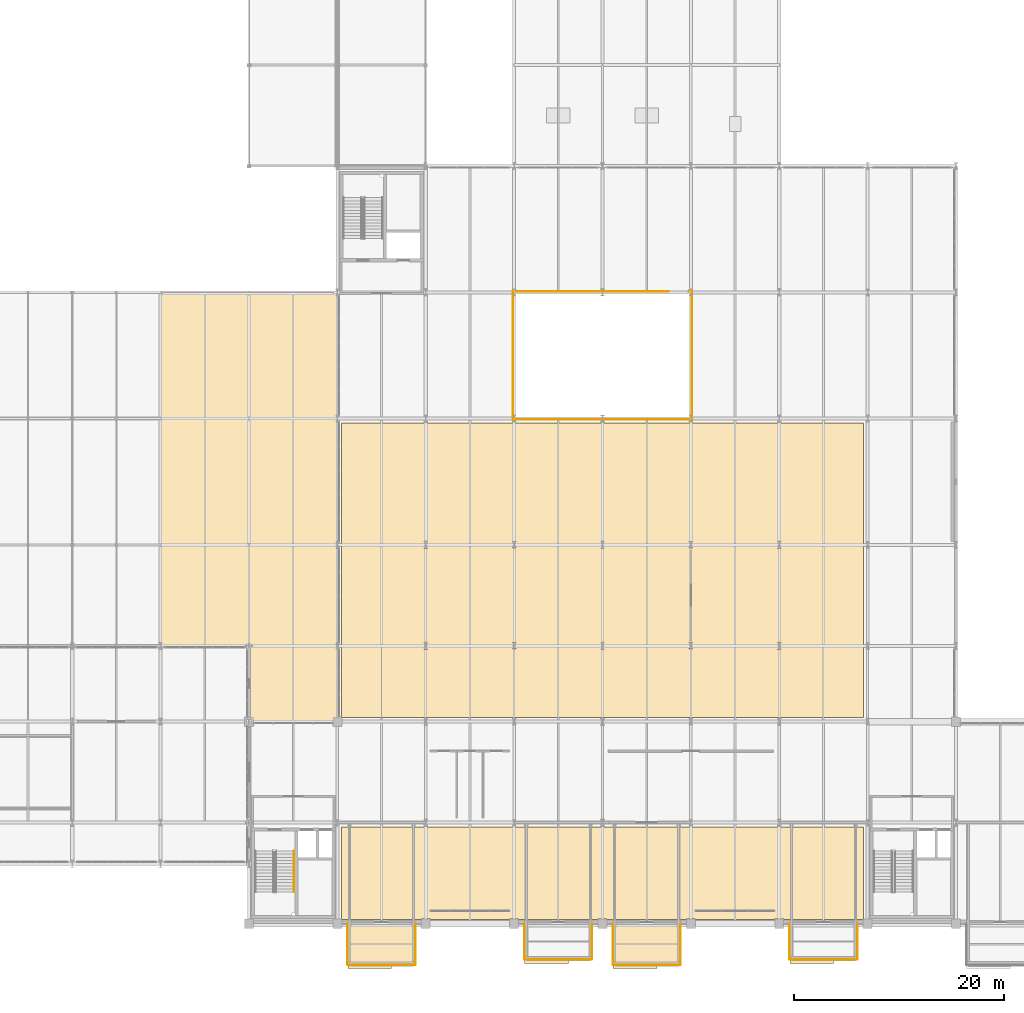
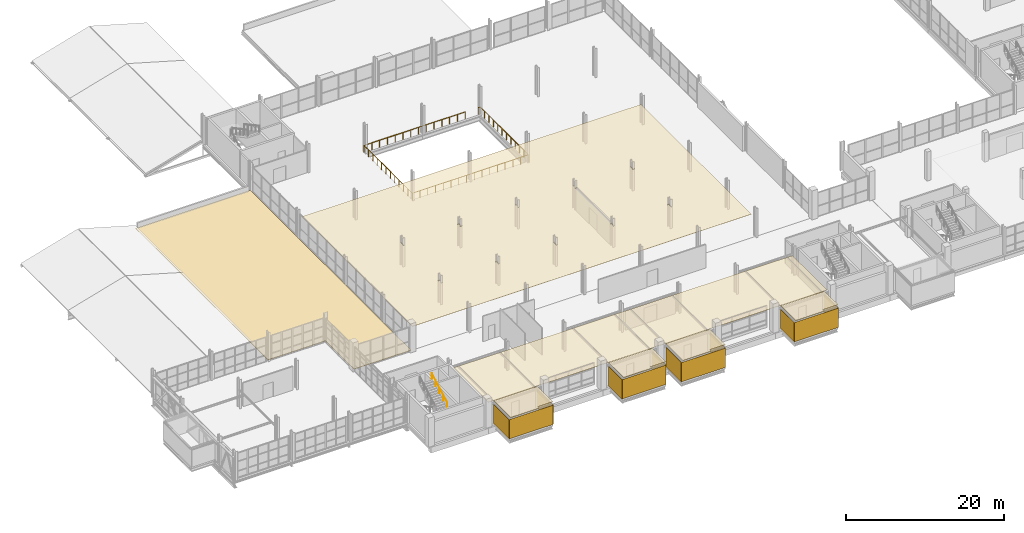
# One storey, part 125 of 130: 19 coverings, 3 railings.
"""IFC4 building model written with IfcOpenShell, lengths in metres."""

from ifc_helpers import new_model, si_unit, direction, frame, frame_2d, origin, origin_2d, place, context, subcontext, project, spatial, polyline, rectangle, circle, outline, extrude, material, layer, layer_set, type_object, element, save


model = new_model("IFC4")

# Units and contexts
model_context = context("Model", 3, precision=1e-05, world=origin(), true_north=direction((0.0, 1.0)))
body_context = subcontext(model_context, "Body", "Model", "MODEL_VIEW")
ifc_project = project(units=[si_unit("LENGTHUNIT", "METRE"), si_unit("AREAUNIT", "SQUARE_METRE"), si_unit("VOLUMEUNIT", "CUBIC_METRE"), si_unit("PLANEANGLEUNIT", "RADIAN"), si_unit("MASSUNIT", "GRAM", prefix="KILO")], contexts=[model_context])

# Site, building, storey
site_placement = place(None, origin())
site = spatial("IfcSite", under=ifc_project, at=site_placement, CompositionType="ELEMENT")
building_placement = place(site_placement, origin())
building = spatial("IfcBuilding", under=site, at=building_placement, Name="Veltarok Museum of Natural Sciences", CompositionType="ELEMENT")
storey_placement = place(building_placement, frame((0.0, 0.0, 12.89990234375)))
storey = spatial("IfcBuildingStorey", under=building, at=storey_placement, Name="L02", CompositionType="ELEMENT", Elevation=12.89990234375)

# Coverings
ifc_material_1 = material(Name="Corrugated zinc cladding")
ifc_layer_1 = layer(ifc_material_1, 0.044921875)
ifc_layer_set_1 = layer_set([ifc_layer_1], Name="Corrugated zinc cladding")
covering_type_1 = type_object("IfcCoveringType", Name="Corrugated Titanium-Zinc Rainscreen Cladding 45", PredefinedType="CLADDING", material=ifc_layer_set_1)
covering_1_placement = place(storey_placement, frame((41.0, -3.922119140625, 0.0), z_axis=(0.0, 0.0, 1.0), x_axis=(1.0, 0.0, 0.0)))
element("IfcCovering", 1, at=covering_1_placement, inside=storey, type_object=covering_type_1, Name="Corrugated Zinc Cladding DB-07-S", PredefinedType="CLADDING", context=body_context, shape_type="SweptSolid", body=[
    extrude(rectangle(XDim=6.39990234375, YDim=0.044921875, at=frame_2d((3.199951171875, 0.0))), origin(), (0.0, 0.0, 1.0), 2.989990234375),
])
for number, where, z_axis, x_axis, name in (
    (2, (40.97802734375, 0.0, 0.0), (0.0, 0.0, 1.0), (0.0, -1.0, 0.0), "Corrugated Zinc Cladding DB-07-W"),
    (3, (47.422119140625, -3.89990234375, 0.0), (0.0, 0.0, 1.0), (0.0, 1.0, 0.0), "Corrugated Zinc Cladding DB-07-E"),
):
    element("IfcCovering", number, at=place(storey_placement, frame(where, z_axis=z_axis, x_axis=x_axis)), inside=storey, type_object=covering_type_1, Name=name, PredefinedType="CLADDING", context=body_context, shape_type="SweptSolid", body=[
        extrude(rectangle(XDim=3.89990234375, YDim=0.044921875, at=frame_2d((1.949951171875, 0.0))), origin(), (0.0, 0.0, 1.0), 2.989990234375),
    ])
covering_2_placement = place(storey_placement, frame((57.800048828125, -3.422119140625, 0.0), z_axis=(0.0, 0.0, 1.0), x_axis=(1.0, 0.0, 0.0)))
element("IfcCovering", 4, at=covering_2_placement, inside=storey, type_object=covering_type_1, Name="Corrugated Zinc Cladding DB-08-S", PredefinedType="CLADDING", context=body_context, shape_type="SweptSolid", body=[
    extrude(rectangle(XDim=6.39990234375, YDim=0.044921875, at=frame_2d((3.199951171875, 0.0))), origin(), (0.0, 0.0, 1.0), 2.989990234375),
])
for number, where, z_axis, x_axis, name in (
    (5, (57.778076171875, 0.0, 0.0), (0.0, 0.0, 1.0), (0.0, -1.0, 0.0), "Corrugated Zinc Cladding DB-08-W"),
    (6, (64.221923828125, -3.39990234375, 0.0), (0.0, 0.0, 1.0), (0.0, 1.0, 0.0), "Corrugated Zinc Cladding DB-08-E"),
):
    element("IfcCovering", number, at=place(storey_placement, frame(where, z_axis=z_axis, x_axis=x_axis)), inside=storey, type_object=covering_type_1, Name=name, PredefinedType="CLADDING", context=body_context, shape_type="SweptSolid", body=[
        extrude(rectangle(XDim=3.39990234375, YDim=0.044921875, at=frame_2d((1.699951171875, 0.0))), origin(), (0.0, 0.0, 1.0), 2.989990234375),
    ])
covering_3_placement = place(storey_placement, frame((66.199951171875, -3.922119140625, 0.0), z_axis=(0.0, 0.0, 1.0), x_axis=(1.0, 0.0, 0.0)))
element("IfcCovering", 7, at=covering_3_placement, inside=storey, type_object=covering_type_1, Name="Corrugated Zinc Cladding DB-09-S", PredefinedType="CLADDING", context=body_context, shape_type="SweptSolid", body=[
    extrude(rectangle(XDim=6.400146484375, YDim=0.044921875, at=frame_2d((3.2001953125, 0.0))), origin(), (0.0, 0.0, 1.0), 2.989990234375),
])
for number, where, z_axis, x_axis, name in (
    (8, (66.177978515625, 0.0, 0.0), (0.0, 0.0, 1.0), (0.0, -1.0, 0.0), "Corrugated Zinc Cladding DB-09-W"),
    (9, (72.6220703125, -3.89990234375, 0.0), (0.0, 0.0, 1.0), (0.0, 1.0, 0.0), "Corrugated Zinc Cladding DB-09-E"),
):
    element("IfcCovering", number, at=place(storey_placement, frame(where, z_axis=z_axis, x_axis=x_axis)), inside=storey, type_object=covering_type_1, Name=name, PredefinedType="CLADDING", context=body_context, shape_type="SweptSolid", body=[
        extrude(rectangle(XDim=3.89990234375, YDim=0.044921875, at=frame_2d((1.949951171875, 0.0))), origin(), (0.0, 0.0, 1.0), 2.989990234375),
    ])
covering_4_placement = place(storey_placement, frame((83.0, -3.422119140625, 0.0), z_axis=(0.0, 0.0, 1.0), x_axis=(1.0, 0.0, 0.0)))
element("IfcCovering", 10, at=covering_4_placement, inside=storey, type_object=covering_type_1, Name="Corrugated Zinc Cladding DB-10-S", PredefinedType="CLADDING", context=body_context, shape_type="SweptSolid", body=[
    extrude(rectangle(XDim=6.39990234375, YDim=0.044921875, at=frame_2d((3.199951171875, 0.0))), origin(), (0.0, 0.0, 1.0), 2.989990234375),
])
for number, where, z_axis, x_axis, name in (
    (11, (82.97802734375, 0.0, 0.0), (0.0, 0.0, 1.0), (0.0, -1.0, 0.0), "Corrugated Zinc Cladding DB-10-W"),
    (12, (89.422119140625, -3.39990234375, 0.0), (0.0, 0.0, 1.0), (0.0, 1.0, 0.0), "Corrugated Zinc Cladding DB-10-E"),
):
    element("IfcCovering", number, at=place(storey_placement, frame(where, z_axis=z_axis, x_axis=x_axis)), inside=storey, type_object=covering_type_1, Name=name, PredefinedType="CLADDING", context=body_context, shape_type="SweptSolid", body=[
        extrude(rectangle(XDim=3.39990234375, YDim=0.044921875, at=frame_2d((1.699951171875, 0.0))), origin(), (0.0, 0.0, 1.0), 2.989990234375),
    ])
ifc_material_2 = material(Name="EPDM waterproofing membrane")
ifc_layer_2 = layer(ifc_material_2, 0.06005859375)
ifc_layer_set_2 = layer_set([ifc_layer_2], Name="EPDM waterproofing membrane")
covering_type_2 = type_object("IfcCoveringType", Name="EPDM Waterproofing and Acoustic Roof Membrane 60", PredefinedType="ROOFING", material=ifc_layer_set_2)
covering_5_placement = place(storey_placement, origin())
element("IfcCovering", 13, at=covering_5_placement, inside=storey, type_object=covering_type_2, Name="Roof Waterproofing RF-V6C", PredefinedType="ROOFING", context=body_context, shape_type="SweptSolid", body=[
    extrude(outline(polyline([(39.97998046875, 60.0), (39.97998046875, 19.199951171875), (31.6201171875, 19.199951171875), (31.6201171875, 26.419921875), (23.199951171875, 26.419921875), (23.199951171875, 60.0), (39.97998046875, 60.0)])), origin(), (0.0, 0.0, 1.0), 0.06005859375),
])
covering_6_placement = place(storey_placement, frame((0.0, 0.0, 3.4501953125)))
element("IfcCovering", 14, at=covering_6_placement, inside=storey, type_object=covering_type_2, Name="Cabinet Box Roof Membrane DB-07", PredefinedType="ROOFING", context=body_context, shape_type="SweptSolid", body=[
    extrude(outline(polyline([(41.0, -4.280029296875), (45.159912109375, -4.280029296875), (45.159912109375, -3.89990234375), (47.39990234375, -3.89990234375), (47.39990234375, 0.0), (41.0, 0.0), (41.0, -4.280029296875)])), origin(), (0.0, 0.0, 1.0), 0.059814453125),
])
covering_7_placement = place(storey_placement, frame((0.0, 0.0, 3.4501953125)))
element("IfcCovering", 15, at=covering_7_placement, inside=storey, type_object=covering_type_2, Name="Cabinet Box Roof Membrane DB-08", PredefinedType="ROOFING", context=body_context, shape_type="SweptSolid", body=[
    extrude(outline(polyline([(57.800048828125, -3.780029296875), (61.9599609375, -3.780029296875), (61.9599609375, -3.39990234375), (64.199951171875, -3.39990234375), (64.199951171875, 0.0), (57.800048828125, 0.0), (57.800048828125, -3.780029296875)])), origin(), (0.0, 0.0, 1.0), 0.059814453125),
])
covering_8_placement = place(storey_placement, frame((0.0, 0.0, 3.4501953125)))
element("IfcCovering", 16, at=covering_8_placement, inside=storey, type_object=covering_type_2, Name="Cabinet Box Roof Membrane DB-09", PredefinedType="ROOFING", context=body_context, shape_type="SweptSolid", body=[
    extrude(outline(polyline([(66.199951171875, -4.280029296875), (70.360107421875, -4.280029296875), (70.360107421875, -3.89990234375), (72.60009765625, -3.89990234375), (72.60009765625, 0.0), (66.199951171875, 0.0), (66.199951171875, -4.280029296875)])), origin(), (0.0, 0.0, 1.0), 0.059814453125),
])
covering_9_placement = place(storey_placement, frame((0.0, 0.0, 3.4501953125)))
element("IfcCovering", 17, at=covering_9_placement, inside=storey, type_object=covering_type_2, Name="Cabinet Box Roof Membrane DB-10", PredefinedType="ROOFING", context=body_context, shape_type="SweptSolid", body=[
    extrude(outline(polyline([(83.0, -3.780029296875), (87.159912109375, -3.780029296875), (87.159912109375, -3.39990234375), (89.39990234375, -3.39990234375), (89.39990234375, 0.0), (83.0, 0.0), (83.0, -3.780029296875)])), origin(), (0.0, 0.0, 1.0), 0.059814453125),
])

# Railings
ifc_material_3 = material(Name="Steel S355J2", Category="steel")
railing_type_1 = type_object("IfcRailingType", Name="Interior Atrium and Stairwell Guardrail 1100", PredefinedType="GUARDRAIL", material=ifc_material_3)
railing_1_placement = place(storey_placement, frame((56.699951171875, 47.89990234375, 0.0)))
element("IfcRailing", 18, at=railing_1_placement, inside=storey, type_object=railing_type_1, Name="Central Atrium Guardrail L02-1", PredefinedType="GUARDRAIL", context=body_context, shape_type="SweptSolid", body=[
    extrude(circle(Radius=0.02392578125, at=origin_2d()), frame((0.0, 0.0, 1.076171875), z_axis=(1.0, 0.0, 0.0), x_axis=(0.0, 1.0, 0.0)), (0.0, 0.0, 1.0), 17.0),
    extrude(circle(Radius=0.02392578125, at=origin_2d()), frame((17.0, 0.0, 1.076171875), z_axis=(0.0, 1.0, 0.0), x_axis=(-1.0, 0.0, 0.0)), (0.0, 0.0, 1.0), 12.2001953125),
    extrude(circle(Radius=0.02392578125, at=origin_2d()), frame((17.0, 12.2001953125, 1.076171875), z_axis=(-1.0, 0.0, 0.0), x_axis=(0.0, -1.0, 0.0)), (0.0, 0.0, 1.0), 0.300048828125),
    extrude(circle(Radius=0.02099609375, at=origin_2d()), origin(), (0.0, 0.0, 1.0), 1.052001953125),
    extrude(circle(Radius=0.02099609375, at=origin_2d()), frame((1.13330078125, 0.0, 0.0)), (0.0, 0.0, 1.0), 1.052001953125),
    extrude(circle(Radius=0.02099609375, at=origin_2d()), frame((2.2666015625, 0.0, 0.0)), (0.0, 0.0, 1.0), 1.052001953125),
    extrude(circle(Radius=0.02099609375, at=origin_2d()), frame((3.39990234375, 0.0, 0.0)), (0.0, 0.0, 1.0), 1.052001953125),
    extrude(circle(Radius=0.02099609375, at=origin_2d()), frame((4.533447265625, 0.0, 0.0)), (0.0, 0.0, 1.0), 1.052001953125),
    extrude(circle(Radius=0.02099609375, at=origin_2d()), frame((5.666748046875, 0.0, 0.0)), (0.0, 0.0, 1.0), 1.052001953125),
    extrude(circle(Radius=0.02099609375, at=origin_2d()), frame((6.800048828125, 0.0, 0.0)), (0.0, 0.0, 1.0), 1.052001953125),
    extrude(circle(Radius=0.02099609375, at=origin_2d()), frame((7.933349609375, 0.0, 0.0)), (0.0, 0.0, 1.0), 1.052001953125),
    extrude(circle(Radius=0.02099609375, at=origin_2d()), frame((9.066650390625, 0.0, 0.0)), (0.0, 0.0, 1.0), 1.052001953125),
    extrude(circle(Radius=0.02099609375, at=origin_2d()), frame((10.199951171875, 0.0, 0.0)), (0.0, 0.0, 1.0), 1.052001953125),
    extrude(circle(Radius=0.02099609375, at=origin_2d()), frame((11.333251953125, 0.0, 0.0)), (0.0, 0.0, 1.0), 1.052001953125),
    extrude(circle(Radius=0.02099609375, at=origin_2d()), frame((12.466552734375, 0.0, 0.0)), (0.0, 0.0, 1.0), 1.052001953125),
    extrude(circle(Radius=0.02099609375, at=origin_2d()), frame((13.60009765625, 0.0, 0.0)), (0.0, 0.0, 1.0), 1.052001953125),
    extrude(circle(Radius=0.02099609375, at=origin_2d()), frame((14.7333984375, 0.0, 0.0)), (0.0, 0.0, 1.0), 1.052001953125),
    extrude(circle(Radius=0.02099609375, at=origin_2d()), frame((15.86669921875, 0.0, 0.0)), (0.0, 0.0, 1.0), 1.052001953125),
    extrude(circle(Radius=0.02099609375, at=origin_2d()), frame((17.0, 0.0, 0.0)), (0.0, 0.0, 1.0), 1.052001953125),
    extrude(circle(Radius=0.02099609375, at=origin_2d()), frame((17.0, 1.109130859375, 0.0)), (0.0, 0.0, 1.0), 1.052001953125),
    extrude(circle(Radius=0.02099609375, at=origin_2d()), frame((17.0, 2.21826171875, 0.0)), (0.0, 0.0, 1.0), 1.052001953125),
    extrude(circle(Radius=0.02099609375, at=origin_2d()), frame((17.0, 3.327392578125, 0.0)), (0.0, 0.0, 1.0), 1.052001953125),
    extrude(circle(Radius=0.02099609375, at=origin_2d()), frame((17.0, 4.4365234375, 0.0)), (0.0, 0.0, 1.0), 1.052001953125),
    extrude(circle(Radius=0.02099609375, at=origin_2d()), frame((17.0, 5.545654296875, 0.0)), (0.0, 0.0, 1.0), 1.052001953125),
    extrude(circle(Radius=0.02099609375, at=origin_2d()), frame((17.0, 6.654541015625, 0.0)), (0.0, 0.0, 1.0), 1.052001953125),
    extrude(circle(Radius=0.02099609375, at=origin_2d()), frame((17.0, 7.763671875, 0.0)), (0.0, 0.0, 1.0), 1.052001953125),
    extrude(circle(Radius=0.02099609375, at=origin_2d()), frame((17.0, 8.872802734375, 0.0)), (0.0, 0.0, 1.0), 1.052001953125),
    extrude(circle(Radius=0.02099609375, at=origin_2d()), frame((17.0, 9.98193359375, 0.0)), (0.0, 0.0, 1.0), 1.052001953125),
    extrude(circle(Radius=0.02099609375, at=origin_2d()), frame((17.0, 11.091064453125, 0.0)), (0.0, 0.0, 1.0), 1.052001953125),
    extrude(circle(Radius=0.02099609375, at=origin_2d()), frame((17.0, 12.2001953125, 0.0)), (0.0, 0.0, 1.0), 1.052001953125),
    extrude(circle(Radius=0.02099609375, at=origin_2d()), frame((16.699951171875, 12.2001953125, 0.0)), (0.0, 0.0, 1.0), 1.052001953125),
])
railing_2_placement = place(storey_placement, frame((71.5, 60.10009765625, 0.0)))
element("IfcRailing", 19, at=railing_2_placement, inside=storey, type_object=railing_type_1, Name="Central Atrium Guardrail L02-2", PredefinedType="GUARDRAIL", context=body_context, shape_type="SweptSolid", body=[
    extrude(circle(Radius=0.02392578125, at=origin_2d()), frame((0.0, 0.0, 1.076171875), z_axis=(-1.0, 0.0, 0.0), x_axis=(0.0, -1.0, 0.0)), (0.0, 0.0, 1.0), 14.800048828125),
    extrude(circle(Radius=0.02392578125, at=origin_2d()), frame((-14.800048828125, 0.0, 1.076171875), z_axis=(0.0, -1.0, 0.0), x_axis=(1.0, 0.0, 0.0)), (0.0, 0.0, 1.0), 12.2001953125),
    extrude(circle(Radius=0.02099609375, at=origin_2d()), origin(), (0.0, 0.0, 1.0), 1.052001953125),
    extrude(circle(Radius=0.02099609375, at=origin_2d()), frame((-1.138427734375, 0.0, 0.0)), (0.0, 0.0, 1.0), 1.052001953125),
    extrude(circle(Radius=0.02099609375, at=origin_2d()), frame((-2.27685546875, 0.0, 0.0)), (0.0, 0.0, 1.0), 1.052001953125),
    extrude(circle(Radius=0.02099609375, at=origin_2d()), frame((-3.415283203125, 0.0, 0.0)), (0.0, 0.0, 1.0), 1.052001953125),
    extrude(circle(Radius=0.02099609375, at=origin_2d()), frame((-4.553955078125, 0.0, 0.0)), (0.0, 0.0, 1.0), 1.052001953125),
    extrude(circle(Radius=0.02099609375, at=origin_2d()), frame((-5.6923828125, 0.0, 0.0)), (0.0, 0.0, 1.0), 1.052001953125),
    extrude(circle(Radius=0.02099609375, at=origin_2d()), frame((-6.830810546875, 0.0, 0.0)), (0.0, 0.0, 1.0), 1.052001953125),
    extrude(circle(Radius=0.02099609375, at=origin_2d()), frame((-7.96923828125, 0.0, 0.0)), (0.0, 0.0, 1.0), 1.052001953125),
    extrude(circle(Radius=0.02099609375, at=origin_2d()), frame((-9.107666015625, 0.0, 0.0)), (0.0, 0.0, 1.0), 1.052001953125),
    extrude(circle(Radius=0.02099609375, at=origin_2d()), frame((-10.24609375, 0.0, 0.0)), (0.0, 0.0, 1.0), 1.052001953125),
    extrude(circle(Radius=0.02099609375, at=origin_2d()), frame((-11.384765625, 0.0, 0.0)), (0.0, 0.0, 1.0), 1.052001953125),
    extrude(circle(Radius=0.02099609375, at=origin_2d()), frame((-12.523193359375, 0.0, 0.0)), (0.0, 0.0, 1.0), 1.052001953125),
    extrude(circle(Radius=0.02099609375, at=origin_2d()), frame((-13.66162109375, 0.0, 0.0)), (0.0, 0.0, 1.0), 1.052001953125),
    extrude(circle(Radius=0.02099609375, at=origin_2d()), frame((-14.800048828125, 0.0, 0.0)), (0.0, 0.0, 1.0), 1.052001953125),
    extrude(circle(Radius=0.02099609375, at=origin_2d()), frame((-14.800048828125, -1.109130859375, 0.0)), (0.0, 0.0, 1.0), 1.052001953125),
    extrude(circle(Radius=0.02099609375, at=origin_2d()), frame((-14.800048828125, -2.21826171875, 0.0)), (0.0, 0.0, 1.0), 1.052001953125),
    extrude(circle(Radius=0.02099609375, at=origin_2d()), frame((-14.800048828125, -3.327392578125, 0.0)), (0.0, 0.0, 1.0), 1.052001953125),
    extrude(circle(Radius=0.02099609375, at=origin_2d()), frame((-14.800048828125, -4.4365234375, 0.0)), (0.0, 0.0, 1.0), 1.052001953125),
    extrude(circle(Radius=0.02099609375, at=origin_2d()), frame((-14.800048828125, -5.545654296875, 0.0)), (0.0, 0.0, 1.0), 1.052001953125),
    extrude(circle(Radius=0.02099609375, at=origin_2d()), frame((-14.800048828125, -6.654541015625, 0.0)), (0.0, 0.0, 1.0), 1.052001953125),
    extrude(circle(Radius=0.02099609375, at=origin_2d()), frame((-14.800048828125, -7.763671875, 0.0)), (0.0, 0.0, 1.0), 1.052001953125),
    extrude(circle(Radius=0.02099609375, at=origin_2d()), frame((-14.800048828125, -8.872802734375, 0.0)), (0.0, 0.0, 1.0), 1.052001953125),
    extrude(circle(Radius=0.02099609375, at=origin_2d()), frame((-14.800048828125, -9.98193359375, 0.0)), (0.0, 0.0, 1.0), 1.052001953125),
    extrude(circle(Radius=0.02099609375, at=origin_2d()), frame((-14.800048828125, -11.091064453125, 0.0)), (0.0, 0.0, 1.0), 1.052001953125),
    extrude(circle(Radius=0.02099609375, at=origin_2d()), frame((-14.800048828125, -12.2001953125, 0.0)), (0.0, 0.0, 1.0), 1.052001953125),
])

# Coverings
ifc_material_4 = material(Name="Acoustic gypsum and mineral wool")
ifc_layer_3 = layer(ifc_material_4, 0.044921875)
ifc_layer_set_3 = layer_set([ifc_layer_3], Name="Acoustic gypsum and mineral wool")
covering_type_3 = type_object("IfcCoveringType", Name="Perforated Acoustic Museum Ceiling Baffle System 45", PredefinedType="CEILING", material=ifc_layer_set_3)
covering_10_placement = place(storey_placement, frame((0.0, 0.0, 3.2001953125)))
element("IfcCovering", 20, at=covering_10_placement, inside=storey, type_object=covering_type_3, Name="Acoustic Gallery Ceiling L02-07", PredefinedType="CEILING", context=body_context, shape_type="SweptSolid", body=[
    extrude(outline(polyline([(40.39990234375, 9.199951171875), (90.0, 9.199951171875), (90.0, 0.4580078125), (89.967041015625, 0.4580078125), (89.967041015625, 0.39990234375), (82.43310546875, 0.39990234375), (82.43310546875, 0.4580078125), (81.56689453125, 0.4580078125), (81.56689453125, 0.39990234375), (74.032958984375, 0.39990234375), (74.032958984375, 0.4580078125), (73.1669921875, 0.4580078125), (73.1669921875, 0.39990234375), (65.633056640625, 0.39990234375), (65.633056640625, 0.4580078125), (64.76708984375, 0.4580078125), (64.76708984375, 0.39990234375), (57.23291015625, 0.39990234375), (57.23291015625, 0.4580078125), (56.366943359375, 0.4580078125), (56.366943359375, 0.39990234375), (48.8330078125, 0.39990234375), (48.8330078125, 0.4580078125), (47.967041015625, 0.4580078125), (47.967041015625, 0.39990234375), (40.43310546875, 0.39990234375), (40.43310546875, 0.4580078125), (40.39990234375, 0.4580078125), (40.39990234375, 9.199951171875)])), origin(), (0.0, 0.0, 1.0), 0.044921875),
])
covering_11_placement = place(storey_placement, frame((0.0, 0.0, 3.300048828125)))
element("IfcCovering", 21, at=covering_11_placement, inside=storey, type_object=covering_type_3, Name="Acoustic Gallery Ceiling L02-08", PredefinedType="CEILING", context=body_context, shape_type="SweptSolid", body=[
    extrude(outline(polyline([(40.39990234375, 47.60009765625), (90.0, 47.60009765625), (90.0, 19.60009765625), (40.43310546875, 19.60009765625), (40.43310546875, 19.657958984375), (40.39990234375, 19.657958984375), (40.39990234375, 47.60009765625)]), holes=[polyline([(48.55810546875, 26.73291015625), (48.241943359375, 26.73291015625), (48.241943359375, 26.68603515625), (48.384033203125, 26.68603515625), (48.384033203125, 26.114013671875), (48.241943359375, 26.114013671875), (48.241943359375, 26.06689453125), (48.55810546875, 26.06689453125), (48.55810546875, 26.114013671875), (48.416015625, 26.114013671875), (48.416015625, 26.68603515625), (48.55810546875, 26.68603515625), (48.55810546875, 26.73291015625)]), polyline([(48.55810546875, 36.3330078125), (48.241943359375, 36.3330078125), (48.241943359375, 36.285888671875), (48.384033203125, 36.285888671875), (48.384033203125, 35.714111328125), (48.241943359375, 35.714111328125), (48.241943359375, 35.6669921875), (48.55810546875, 35.6669921875), (48.55810546875, 35.714111328125), (48.416015625, 35.714111328125), (48.416015625, 36.285888671875), (48.55810546875, 36.285888671875), (48.55810546875, 36.3330078125)]), polyline([(65.35791015625, 26.73291015625), (65.0419921875, 26.73291015625), (65.0419921875, 26.68603515625), (65.18408203125, 26.68603515625), (65.18408203125, 26.114013671875), (65.0419921875, 26.114013671875), (65.0419921875, 26.06689453125), (65.35791015625, 26.06689453125), (65.35791015625, 26.114013671875), (65.216064453125, 26.114013671875), (65.216064453125, 26.68603515625), (65.35791015625, 26.68603515625), (65.35791015625, 26.73291015625)]), polyline([(73.758056640625, 26.7080078125), (73.44189453125, 26.7080078125), (73.44189453125, 26.662109375), (73.584228515625, 26.662109375), (73.584228515625, 26.137939453125), (73.44189453125, 26.137939453125), (73.44189453125, 26.092041015625), (73.758056640625, 26.092041015625), (73.758056640625, 26.137939453125), (73.61572265625, 26.137939453125), (73.61572265625, 26.662109375), (73.758056640625, 26.662109375), (73.758056640625, 26.7080078125)]), polyline([(82.157958984375, 26.73291015625), (81.842041015625, 26.73291015625), (81.842041015625, 26.68603515625), (81.98388671875, 26.68603515625), (81.98388671875, 26.114013671875), (81.842041015625, 26.114013671875), (81.842041015625, 26.06689453125), (82.157958984375, 26.06689453125), (82.157958984375, 26.114013671875), (82.01611328125, 26.114013671875), (82.01611328125, 26.68603515625), (82.157958984375, 26.68603515625), (82.157958984375, 26.73291015625)]), polyline([(56.9580078125, 26.7080078125), (56.64208984375, 26.7080078125), (56.64208984375, 26.662109375), (56.7841796875, 26.662109375), (56.7841796875, 26.137939453125), (56.64208984375, 26.137939453125), (56.64208984375, 26.092041015625), (56.9580078125, 26.092041015625), (56.9580078125, 26.137939453125), (56.81591796875, 26.137939453125), (56.81591796875, 26.662109375), (56.9580078125, 26.662109375), (56.9580078125, 26.7080078125)]), polyline([(82.157958984375, 36.3330078125), (81.842041015625, 36.3330078125), (81.842041015625, 36.285888671875), (81.98388671875, 36.285888671875), (81.98388671875, 35.714111328125), (81.842041015625, 35.714111328125), (81.842041015625, 35.6669921875), (82.157958984375, 35.6669921875), (82.157958984375, 35.714111328125), (82.01611328125, 35.714111328125), (82.01611328125, 36.285888671875), (82.157958984375, 36.285888671875), (82.157958984375, 36.3330078125)]), polyline([(73.758056640625, 36.30810546875), (73.44189453125, 36.30810546875), (73.44189453125, 36.261962890625), (73.584228515625, 36.261962890625), (73.584228515625, 35.738037109375), (73.44189453125, 35.738037109375), (73.44189453125, 35.69189453125), (73.758056640625, 35.69189453125), (73.758056640625, 35.738037109375), (73.61572265625, 35.738037109375), (73.61572265625, 36.261962890625), (73.758056640625, 36.261962890625), (73.758056640625, 36.30810546875)]), polyline([(65.35791015625, 36.3330078125), (65.0419921875, 36.3330078125), (65.0419921875, 36.285888671875), (65.18408203125, 36.285888671875), (65.18408203125, 35.714111328125), (65.0419921875, 35.714111328125), (65.0419921875, 35.6669921875), (65.35791015625, 35.6669921875), (65.35791015625, 35.714111328125), (65.216064453125, 35.714111328125), (65.216064453125, 36.285888671875), (65.35791015625, 36.285888671875), (65.35791015625, 36.3330078125)]), polyline([(56.9580078125, 36.30810546875), (56.64208984375, 36.30810546875), (56.64208984375, 36.261962890625), (56.7841796875, 36.261962890625), (56.7841796875, 35.738037109375), (56.64208984375, 35.738037109375), (56.64208984375, 35.69189453125), (56.9580078125, 35.69189453125), (56.9580078125, 35.738037109375), (56.81591796875, 35.738037109375), (56.81591796875, 36.261962890625), (56.9580078125, 36.261962890625), (56.9580078125, 36.30810546875)])]), origin(), (0.0, 0.0, 1.0), 0.045166015625),
])

# Railing
railing_type_2 = type_object("IfcRailingType", Name="Stair Flight Tubular Steel Handrail 900", PredefinedType="HANDRAIL", material=ifc_material_3)
railing_3_placement = place(storey_placement, frame((35.89990234375, 3.0, 2.410888671875)))
element("IfcRailing", 22, at=railing_3_placement, inside=storey, type_object=railing_type_2, Name="Stair Handrail ST-01-L02-F2R", PredefinedType="HANDRAIL", context=body_context, shape_type="SweptSolid", body=[
    extrude(circle(Radius=0.02392578125, at=origin_2d()), frame((0.0, 0.0, 0.8759765625), z_axis=(0.0, 0.881491454809, 0.472199973632), x_axis=(-1.0, 0.0, 0.0)), (0.0, 0.0, 1.0), 4.42431640625),
    extrude(circle(Radius=0.02099609375, at=origin_2d()), origin(), (0.0, 0.0, 1.0), 0.851806640625),
    extrude(circle(Radius=0.02099609375, at=origin_2d()), frame((0.0, 0.97509765625, 0.522216796875)), (0.0, 0.0, 1.0), 0.851806640625),
    extrude(circle(Radius=0.02099609375, at=origin_2d()), frame((0.0, 1.949951171875, 1.04443359375)), (0.0, 0.0, 1.0), 0.851806640625),
    extrude(circle(Radius=0.02099609375, at=origin_2d()), frame((0.0, 2.9248046875, 1.56689453125)), (0.0, 0.0, 1.0), 0.851806640625),
    extrude(circle(Radius=0.02099609375, at=origin_2d()), frame((0.0, 3.89990234375, 2.089111328125)), (0.0, 0.0, 1.0), 0.851806640625),
])

save(model, "model.ifc")
